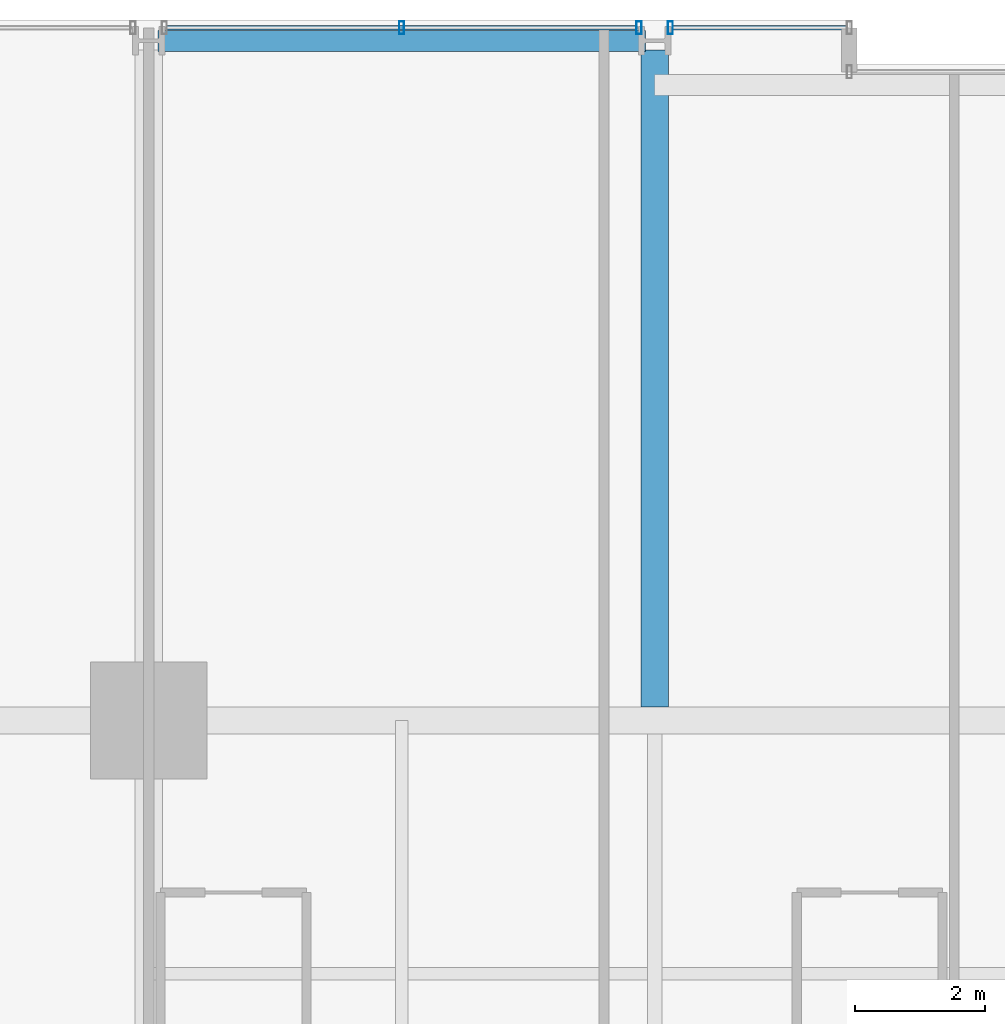
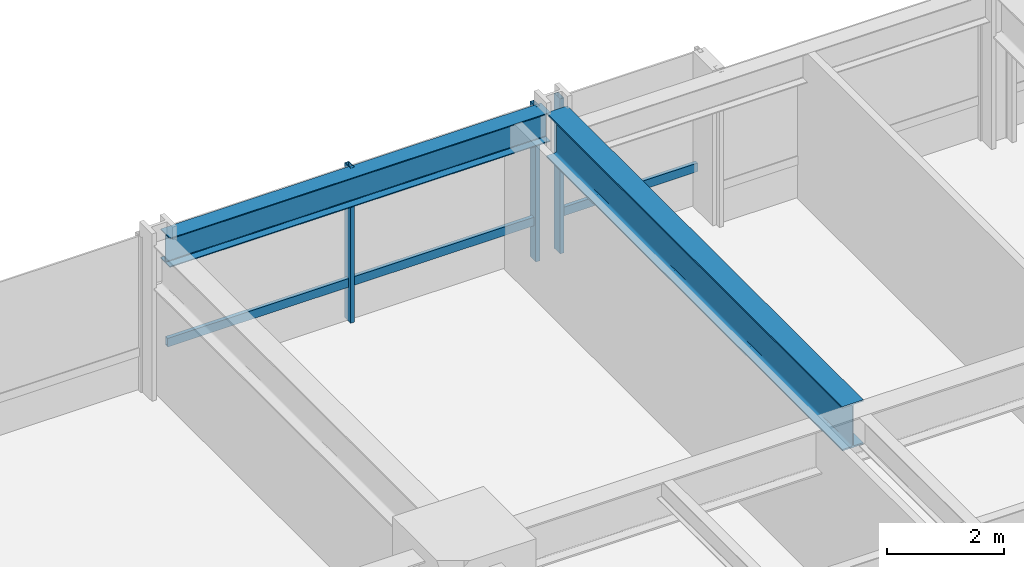
# One storey, part 22 of 38: 5 members, 2 beams, 2 elements without a shape of their own.
"""IFC4 building model written with IfcOpenShell, lengths in metres."""

from ifc_helpers import new_model, si_unit, direction, frame, origin, origin_2d, place, context, subcontext, project, spatial, hollow_rectangle, i_section, extrude, material, layer, layer_set, material_profile, profile_set, type_object, element, aggregate, save


model = new_model("IFC4")

# Units and contexts
model_context = context("Model", 3, precision=1e-05, world=origin(), true_north=direction((0.0, 1.0)))
body_context = subcontext(model_context, "Body", "Model", "MODEL_VIEW")
ifc_project = project(units=[si_unit("LENGTHUNIT", "METRE"), si_unit("AREAUNIT", "SQUARE_METRE"), si_unit("VOLUMEUNIT", "CUBIC_METRE"), si_unit("PLANEANGLEUNIT", "RADIAN"), si_unit("MASSUNIT", "GRAM", prefix="KILO")], contexts=[model_context])

# Site, building, storey
site_placement = place(None, origin())
site = spatial("IfcSite", under=ifc_project, at=site_placement, CompositionType="ELEMENT")
building_placement = place(site_placement, origin())
building = spatial("IfcBuilding", under=site, at=building_placement, Name="Drelvath Grand Hotel", CompositionType="ELEMENT")
storey_placement = place(building_placement, frame((0.0, 0.0, 57.699951171875)))
storey = spatial("IfcBuildingStorey", under=building, at=storey_placement, Name="L13", CompositionType="ELEMENT", Elevation=57.699951171875)

# Curtain wall, member
ifc_material_1 = material(Name="Warm Bronze Anodised Aluminium Frame", Category="aluminium")
ifc_layer = layer(ifc_material_1, 0.199951171875)
ifc_layer_set = layer_set([ifc_layer], Name="Warm Bronze Anodised Aluminium Frame")
curtain_wall_type = type_object("IfcCurtainWallType", Name="Stick Curtain Wall CW-02 Warm Bronze Low-Rise", PredefinedType="NOTDEFINED", material=ifc_layer_set)
curtain_wall_1_placement = place(storey_placement, origin())
curtain_wall_1 = element("IfcCurtainWall", 1, at=curtain_wall_1_placement, inside=storey, type_object=curtain_wall_type, Name="L13 CW-02 Curtain Wall CW02-L13-NW2", PredefinedType="NOTDEFINED")
ifc_material_profile_1 = material_profile(ifc_material_1, hollow_rectangle(XDim=0.074951171875, YDim=0.179931640625, WallThickness=0.0048828125, at=origin_2d()), Name="HSS180X75X5")
ifc_profile_set_1 = profile_set([ifc_material_profile_1], Name="Warm Bronze Anodised Aluminium Frame")
member_type_1 = type_object("IfcMemberType", Name="Curtain Wall Horizontal Transom CW-02 HSS180X75X5", PredefinedType="USERDEFINED", material=ifc_profile_set_1)
member_1_placement = place(storey_placement, frame((-15.919189453125, 53.8798828125, 0.81005859375), z_axis=(1.0, 0.0, 0.0), x_axis=(0.0, 1.0, 0.0)))
member_1 = element("IfcMember", 2, at=member_1_placement, type_object=member_type_1, Name="CW02-L13-NW2 Sill Transom", ObjectType="TRANSOM", PredefinedType="USERDEFINED", context=body_context, shape_type="SweptSolid", body=[
    extrude(hollow_rectangle(XDim=0.074951171875, YDim=0.179931640625, WallThickness=0.0048828125, at=origin_2d()), origin(), (0.0, 0.0, 1.0), 7.23828125),
])

curtain_wall_2_placement = place(storey_placement, origin())
curtain_wall_2 = element("IfcCurtainWall", 3, at=curtain_wall_2_placement, inside=storey, type_object=curtain_wall_type, Name="L13 CW-02 Curtain Wall CW02-L13-NW3", PredefinedType="NOTDEFINED")
member_2_placement = place(storey_placement, frame((-8.119140625, 53.8798828125, 0.81005859375), z_axis=(1.0, 0.0, 0.0), x_axis=(0.0, 1.0, 0.0)))
member_2 = element("IfcMember", 4, at=member_2_placement, type_object=member_type_1, Name="CW02-L13-NW3 Sill Transom", ObjectType="TRANSOM", PredefinedType="USERDEFINED", context=body_context, shape_type="SweptSolid", body=[
    extrude(hollow_rectangle(XDim=0.074951171875, YDim=0.179931640625, WallThickness=0.0048828125, at=origin_2d()), origin(), (0.0, 0.0, 1.0), 2.67919921875),
])

# Member
ifc_material_profile_2 = material_profile(ifc_material_1, hollow_rectangle(XDim=0.080078125, YDim=0.199951171875, WallThickness=0.0048828125, at=origin_2d()), Name="HSS200X80X5")
ifc_profile_set_2 = profile_set([ifc_material_profile_2], Name="Warm Bronze Anodised Aluminium Frame")
member_type_2 = type_object("IfcMemberType", Name="Curtain Wall Vertical Mullion CW-02 HSS200X80X5", PredefinedType="MULLION", material=ifc_profile_set_2)
member_3_placement = place(storey_placement, frame((-12.300048828125, 53.8798828125, 0.0), z_axis=(0.0, 0.0, 1.0), x_axis=(1.0, 0.0, 0.0)))
member_3 = element("IfcMember", 5, at=member_3_placement, type_object=member_type_2, Name="CW02-L13-NW2 Mullion 2", PredefinedType="MULLION", context=body_context, shape_type="SweptSolid", body=[
    extrude(hollow_rectangle(XDim=0.080078125, YDim=0.199951171875, WallThickness=0.0048828125, at=origin_2d()), origin(), (0.0, 0.0, 1.0), 3.239990234375),
])

member_4_placement = place(storey_placement, frame((-8.640869140625, 53.8798828125, 0.0), z_axis=(0.0, 0.0, 1.0), x_axis=(1.0, 0.0, 0.0)))
member_4 = element("IfcMember", 6, at=member_4_placement, type_object=member_type_2, Name="CW02-L13-NW2 Mullion 3", PredefinedType="MULLION", context=body_context, shape_type="SweptSolid", body=[
    extrude(hollow_rectangle(XDim=0.080078125, YDim=0.199951171875, WallThickness=0.0048828125, at=origin_2d()), origin(), (0.0, 0.0, 1.0), 3.239990234375),
])

aggregate(curtain_wall_1, [member_3, member_4, member_1])

member_5_placement = place(storey_placement, frame((-8.1591796875, 53.8798828125, 0.0), z_axis=(0.0, 0.0, 1.0), x_axis=(1.0, 0.0, 0.0)))
member_5 = element("IfcMember", 7, at=member_5_placement, type_object=member_type_2, Name="CW02-L13-NW3 Mullion 1", PredefinedType="MULLION", context=body_context, shape_type="SweptSolid", body=[
    extrude(hollow_rectangle(XDim=0.080078125, YDim=0.199951171875, WallThickness=0.0048828125, at=origin_2d()), origin(), (0.0, 0.0, 1.0), 3.239990234375),
])

aggregate(curtain_wall_2, [member_5, member_2])

# Beams
ifc_material_2 = material(Name="Steel ASTM A992 Gr 50", Category="steel")
ifc_material_profile_3 = material_profile(ifc_material_2, i_section(OverallWidth=0.323974609375, OverallDepth=0.611083984375, WebThickness=0.0126953125, FlangeThickness=0.01904296875, FilletRadius=0.02197265625, at=origin_2d()), Name="W24X104")
ifc_profile_set_3 = profile_set([ifc_material_profile_3], Name="Steel ASTM A992 Gr 50")
beam_type_1 = type_object("IfcBeamType", Name="Perimeter Spandrel Beam W24X104", PredefinedType="SPANDREL", material=ifc_profile_set_3)
beam_1_placement = place(storey_placement, frame((-16.06005859375, 53.679931640625, 2.9345703125), z_axis=(1.0, 0.0, 0.0), x_axis=(0.0, 1.0, 0.0)))
element("IfcBeam", 8, at=beam_1_placement, inside=storey, type_object=beam_type_1, Name="L13 Spandrel North W", PredefinedType="SPANDREL", context=body_context, shape_type="SweptSolid", body=[
    extrude(i_section(OverallWidth=0.323974609375, OverallDepth=0.611083984375, WebThickness=0.0126953125, FlangeThickness=0.01904296875, FilletRadius=0.02197265625, at=origin_2d()), origin(), (0.0, 0.0, 1.0), 7.52001953125),
])
ifc_material_profile_4 = material_profile(ifc_material_2, i_section(OverallWidth=0.418212890625, OverallDepth=0.926513671875, WebThickness=0.019287109375, FlangeThickness=0.031982421875, FilletRadius=0.028076171875, at=origin_2d()), Name="W36X231")
ifc_profile_set_4 = profile_set([ifc_material_profile_4], Name="Steel ASTM A992 Gr 50")
beam_type_2 = type_object("IfcBeamType", Name="Primary Floor Girder W36X231", PredefinedType="BEAM", material=ifc_profile_set_4)
beam_2_placement = place(storey_placement, frame((-8.39990234375, 43.4091796875, 2.77685546875), z_axis=(0.0, 1.0, 0.0), x_axis=(-1.0, 0.0, 0.0)))
element("IfcBeam", 9, at=beam_2_placement, inside=storey, type_object=beam_type_2, Name="L13 North Wing Girder 4", PredefinedType="BEAM", context=body_context, shape_type="SweptSolid", body=[
    extrude(i_section(OverallWidth=0.418212890625, OverallDepth=0.926513671875, WebThickness=0.019287109375, FlangeThickness=0.031982421875, FilletRadius=0.028076171875, at=origin_2d()), origin(), (0.0, 0.0, 1.0), 10.130859375),
])

save(model, "model.ifc")
